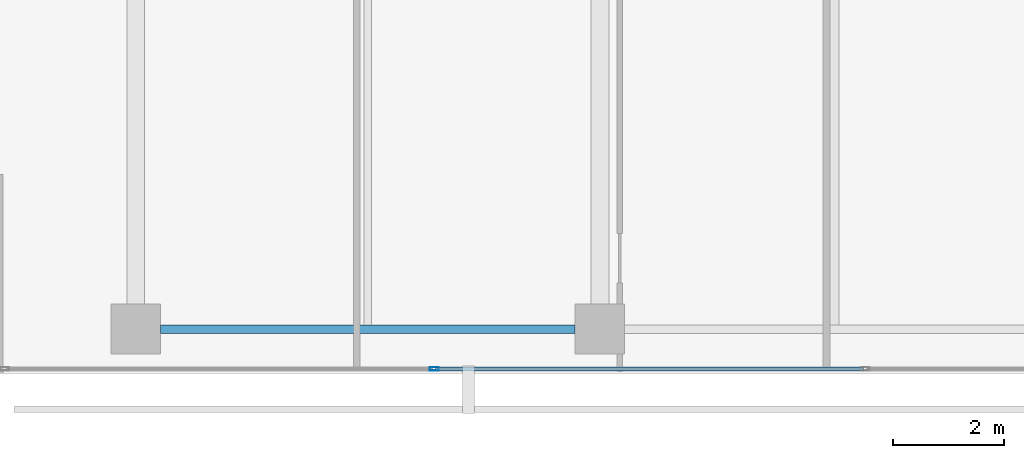
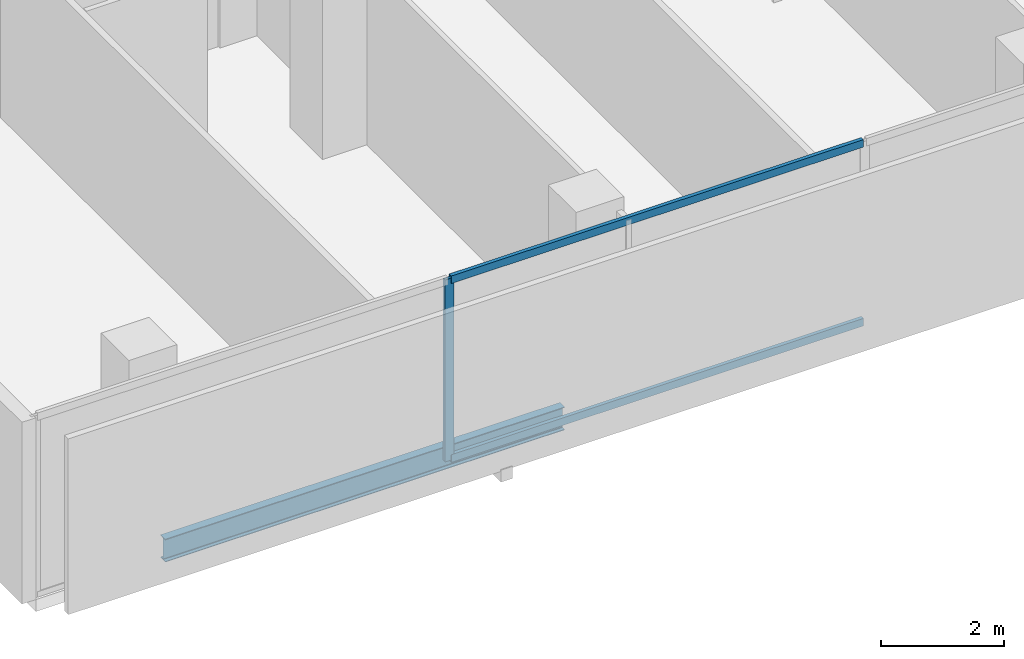
# One storey, part 3 of 40: 3 members, 1 beam, 1 element without a shape of its own.
"""IFC4 building model written with IfcOpenShell, lengths in metres."""

from ifc_helpers import new_model, si_unit, direction, frame, origin, origin_2d, place, context, subcontext, project, spatial, hollow_rectangle, i_section, extrude, material, layer, layer_set, material_profile, profile_set, type_object, element, aggregate, save


model = new_model("IFC4")

# Units and contexts
model_context = context("Model", 3, precision=1e-05, world=origin(), true_north=direction((0.0, 1.0)))
body_context = subcontext(model_context, "Body", "Model", "MODEL_VIEW")
ifc_project = project(units=[si_unit("LENGTHUNIT", "METRE"), si_unit("AREAUNIT", "SQUARE_METRE"), si_unit("VOLUMEUNIT", "CUBIC_METRE"), si_unit("PLANEANGLEUNIT", "RADIAN"), si_unit("MASSUNIT", "GRAM", prefix="KILO")], contexts=[model_context])

# Site, building, storey
site_placement = place(None, origin())
site = spatial("IfcSite", under=ifc_project, at=site_placement, CompositionType="ELEMENT")
building_placement = place(site_placement, origin())
building = spatial("IfcBuilding", under=site, at=building_placement, Name="Maruvema Waterfront Hotel and Observation Tower", CompositionType="ELEMENT")
storey_placement = place(building_placement, frame((0.0, 0.0, 96.25)))
storey = spatial("IfcBuildingStorey", under=building, at=storey_placement, Name="L23", CompositionType="ELEMENT", Elevation=96.25)

# Curtain wall, members
ifc_material_1 = material(Name="Anodised bronze aluminium and solar-control low-E IGU", Category="aluminium")
ifc_layer = layer(ifc_material_1, 0.159912109375, Name="Zone 1 Bronze Inner Thermal Curtain Wall System CW-02")
ifc_layer_set = layer_set([ifc_layer], Name="Anodised bronze aluminium and solar-control low-E IGU")
curtain_wall_type = type_object("IfcCurtainWallType", Name="Zone 1 Bronze Inner Thermal Curtain Wall System CW-02", PredefinedType="USERDEFINED", material=ifc_layer_set)
curtain_wall_placement = place(storey_placement, origin())
curtain_wall = element("IfcCurtainWall", 1, at=curtain_wall_placement, inside=storey, type_object=curtain_wall_type, Name="L23 Curtain Wall CW-L23-S", ObjectType="UNITISED CURTAIN WALL", PredefinedType="USERDEFINED")
ifc_material_2 = material(Name="Anodised architectural bronze aluminium", Category="aluminium")
ifc_material_profile_1 = material_profile(ifc_material_2, hollow_rectangle(XDim=0.070068359375, YDim=0.14990234375, WallThickness=0.00390625, at=origin_2d()), Name="ALU-T70x150")
ifc_profile_set_1 = profile_set([ifc_material_profile_1], Name="Anodised architectural bronze aluminium")
member_type_1 = type_object("IfcMemberType", Name="Curtain Wall Horizontal Transom ALU-T70x150", PredefinedType="USERDEFINED", material=ifc_profile_set_1)
member_1_placement = place(storey_placement, frame((22.22998046875, 0.080078125, 0.030029296875), z_axis=(1.0, 0.0, 0.0), x_axis=(0.0, 1.0, 0.0)))
member_1 = element("IfcMember", 2, at=member_1_placement, type_object=member_type_1, Name="CW-02 transom 2.1", ObjectType="TRANSOM", PredefinedType="USERDEFINED", context=body_context, shape_type="SweptSolid", body=[
    extrude(hollow_rectangle(XDim=0.070068359375, YDim=0.14990234375, WallThickness=0.00390625, at=origin_2d()), origin(), (0.0, 0.0, 1.0), 7.739990234375),
])
member_2_placement = place(storey_placement, frame((22.22998046875, 0.080078125, 3.580078125), z_axis=(1.0, 0.0, 0.0), x_axis=(0.0, 1.0, 0.0)))
member_2 = element("IfcMember", 3, at=member_2_placement, type_object=member_type_1, Name="CW-02 transom 2.2", ObjectType="TRANSOM", PredefinedType="USERDEFINED", context=body_context, shape_type="SweptSolid", body=[
    extrude(hollow_rectangle(XDim=0.070068359375, YDim=0.14990234375, WallThickness=0.00390625, at=origin_2d()), origin(), (0.0, 0.0, 1.0), 7.739990234375),
])
ifc_material_3 = material(Name="Anodised architectural bronze aluminium", Category="aluminium")
ifc_material_profile_2 = material_profile(ifc_material_3, hollow_rectangle(XDim=0.06494140625, YDim=0.1650390625, WallThickness=0.00390625, at=origin_2d()), Name="ALU-M65x165")
ifc_profile_set_2 = profile_set([ifc_material_profile_2], Name="Anodised architectural bronze aluminium")
member_type_2 = type_object("IfcMemberType", Name="Curtain Wall Primary Mullion ALU-M65x165", PredefinedType="MULLION", material=ifc_profile_set_2)
member_3_placement = place(storey_placement, frame((22.199951171875, 0.080078125, 0.0), z_axis=(0.0, 0.0, 1.0), x_axis=(0.0, 1.0, 0.0)))
member_3 = element("IfcMember", 4, at=member_3_placement, type_object=member_type_2, Name="CW-02 mullion 2", PredefinedType="MULLION", context=body_context, shape_type="SweptSolid", body=[
    extrude(hollow_rectangle(XDim=0.06494140625, YDim=0.1650390625, WallThickness=0.00390625, at=origin_2d()), origin(), (0.0, 0.0, 1.0), 3.610107421875),
])
aggregate(curtain_wall, [member_3, member_1, member_2])

# Beam
ifc_material_4 = material(Name="Steel ASTM A572 Grade 50", Category="steel")
ifc_material_profile_3 = material_profile(ifc_material_4, i_section(OverallWidth=0.153076171875, OverallDepth=0.455078125, WebThickness=0.008056640625, FlangeThickness=0.01318359375, FilletRadius=0.014892578125, at=origin_2d()), Name="W460x60.0")
ifc_profile_set_3 = profile_set([ifc_material_profile_3], Name="Steel ASTM A572 Grade 50")
beam_type = type_object("IfcBeamType", Name="Perimeter Spandrel Beam W460x60.0", PredefinedType="SPANDREL", material=ifc_profile_set_3)
beam_placement = place(storey_placement, frame((17.25, 0.800048828125, -0.467529296875), z_axis=(1.0, 0.0, 0.0), x_axis=(0.0, 1.0, 0.0)))
element("IfcBeam", 5, at=beam_placement, inside=storey, type_object=beam_type, Name="L23 Floor Girder EW-01", PredefinedType="SPANDREL", context=body_context, shape_type="SweptSolid", body=[
    extrude(i_section(OverallWidth=0.153076171875, OverallDepth=0.455078125, WebThickness=0.008056640625, FlangeThickness=0.01318359375, FilletRadius=0.014892578125, at=origin_2d()), origin(), (0.0, 0.0, 1.0), 7.5),
])

save(model, "model.ifc")
